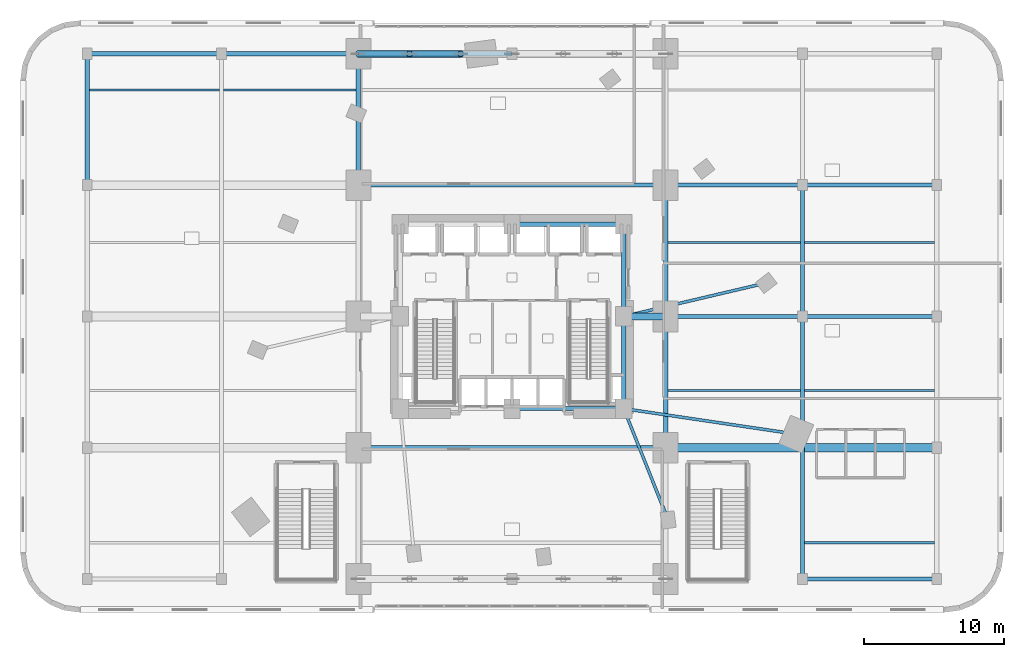
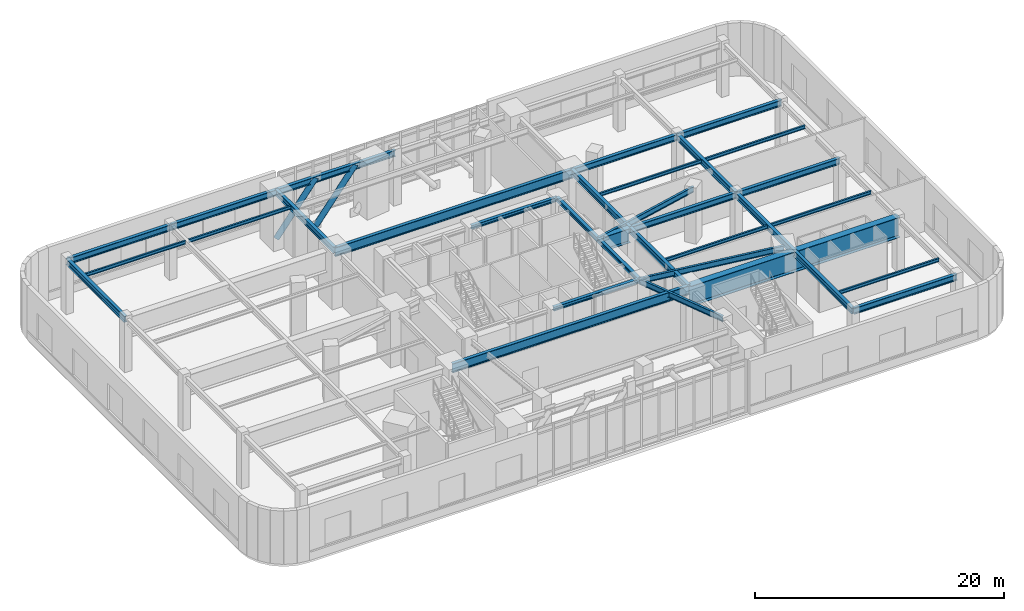
# One storey, part 7 of 19: 32 beams, 2 members.
"""IFC4 building model written with IfcOpenShell, lengths in metres."""

from ifc_helpers import new_model, si_unit, direction, frame, origin, origin_2d, place, context, subcontext, project, spatial, hollow_circle, i_section, extrude, material, material_profile, profile_set, type_object, element, save


model = new_model("IFC4")

# Units and contexts
model_context = context("Model", 3, precision=1e-05, world=origin(), true_north=direction((0.0, 1.0)))
body_context = subcontext(model_context, "Body", "Model", "MODEL_VIEW")
ifc_project = project(units=[si_unit("LENGTHUNIT", "METRE"), si_unit("AREAUNIT", "SQUARE_METRE"), si_unit("VOLUMEUNIT", "CUBIC_METRE"), si_unit("PLANEANGLEUNIT", "RADIAN"), si_unit("MASSUNIT", "GRAM", prefix="KILO")], contexts=[model_context])

# Site, building, storey
site_placement = place(None, origin())
site = spatial("IfcSite", under=ifc_project, at=site_placement, CompositionType="ELEMENT")
building_placement = place(site_placement, origin())
building = spatial("IfcBuilding", under=site, at=building_placement, Name="Ndelora Gate Hotel", CompositionType="ELEMENT")
storey_placement = place(building_placement, frame((0.0, 0.0, 16.0)))
storey = spatial("IfcBuildingStorey", under=building, at=storey_placement, Name="L03", CompositionType="ELEMENT", Elevation=16.0)

# Beams
ifc_material_1 = material(Name="Steel S460", Category="steel")
ifc_material_profile_1 = material_profile(ifc_material_1, i_section(OverallWidth=0.300048828125, OverallDepth=0.89990234375, WebThickness=0.0185546875, FlangeThickness=0.034912109375, FilletRadius=0.030029296875, at=origin_2d()), Name="HEB 900")
ifc_profile_set_1 = profile_set([ifc_material_profile_1], Name="Steel S460")
beam_type_1 = type_object("IfcBeamType", Name="BM-BELT-900", PredefinedType="SPANDREL", material=ifc_profile_set_1)
for number, where, z_axis, x_axis, name in (
    (1, (-11.0, -9.39990234375, 4.77001953125), (1.0, 0.0, 0.0), (0.0, 1.0, 0.0), "L03 structural beam BB-1"),
    (2, (-11.0, 9.39990234375, 4.77001953125), (1.0, 0.0, 0.0), (0.0, 1.0, 0.0), "L03 structural beam BB-1"),
):
    element("IfcBeam", number, at=place(storey_placement, frame(where, z_axis=z_axis, x_axis=x_axis)), inside=storey, type_object=beam_type_1, Name=name, PredefinedType="SPANDREL", context=body_context, shape_type="SweptSolid", body=[
        extrude(i_section(OverallWidth=0.300048828125, OverallDepth=0.89990234375, WebThickness=0.0185546875, FlangeThickness=0.034912109375, FilletRadius=0.030029296875, at=origin_2d()), origin(), (0.0, 0.0, 1.0), 22.0),
    ])
ifc_material_2 = material(Name="Steel S355", Category="steel")
ifc_material_profile_2 = material_profile(ifc_material_2, i_section(OverallWidth=0.300048828125, OverallDepth=0.39990234375, WebThickness=0.013427734375, FlangeThickness=0.02392578125, FilletRadius=0.027099609375, at=origin_2d()), Name="HEB 400")
ifc_profile_set_2 = profile_set([ifc_material_profile_2], Name="Steel S355")
beam_type_2 = type_object("IfcBeamType", Name="BM-CORE-400", PredefinedType="BEAM", material=ifc_profile_set_2)
beam_1_placement = place(storey_placement, frame((0.0, 6.60009765625, 5.02001953125), z_axis=(1.0, 0.0, 0.0), x_axis=(0.0, 1.0, 0.0)))
element("IfcBeam", 3, at=beam_1_placement, inside=storey, type_object=beam_type_2, Name="L03 Core Tie Girder CC6-CC5", PredefinedType="BEAM", context=body_context, shape_type="SweptSolid", body=[
    extrude(i_section(OverallWidth=0.300048828125, OverallDepth=0.39990234375, WebThickness=0.013427734375, FlangeThickness=0.02392578125, FilletRadius=0.027099609375, at=origin_2d()), origin(), (0.0, 0.0, 1.0), 8.0),
])
for number, where, z_axis, x_axis, name in (
    (4, (8.0, -6.60009765625, 5.02001953125), (0.0, 1.0, 0.0), (-1.0, 0.0, 0.0), "L03 Core Tie Girder CC3-CC4"),
    (5, (8.0, 0.0, 5.02001953125), (0.0, 1.0, 0.0), (-1.0, 0.0, 0.0), "L03 Core Tie Girder CC4-CC5"),
):
    element("IfcBeam", number, at=place(storey_placement, frame(where, z_axis=z_axis, x_axis=x_axis)), inside=storey, type_object=beam_type_2, Name=name, PredefinedType="BEAM", context=body_context, shape_type="SweptSolid", body=[
        extrude(i_section(OverallWidth=0.300048828125, OverallDepth=0.39990234375, WebThickness=0.013427734375, FlangeThickness=0.02392578125, FilletRadius=0.027099609375, at=origin_2d()), origin(), (0.0, 0.0, 1.0), 6.60009765625),
    ])
beam_2_placement = place(storey_placement, frame((0.0, -6.60009765625, 5.02001953125), z_axis=(1.0, 0.0, 0.0), x_axis=(0.0, 1.0, 0.0)))
element("IfcBeam", 6, at=beam_2_placement, inside=storey, type_object=beam_type_2, Name="L03 Core Tie Girder CC2-CC3", PredefinedType="BEAM", context=body_context, shape_type="SweptSolid", body=[
    extrude(i_section(OverallWidth=0.300048828125, OverallDepth=0.39990234375, WebThickness=0.013427734375, FlangeThickness=0.02392578125, FilletRadius=0.027099609375, at=origin_2d()), origin(), (0.0, 0.0, 1.0), 8.0),
])
ifc_material_profile_3 = material_profile(ifc_material_2, i_section(OverallWidth=0.159912109375, OverallDepth=0.330078125, WebThickness=0.007568359375, FlangeThickness=0.011474609375, FilletRadius=0.01806640625, at=origin_2d()), Name="IPE 330")
ifc_profile_set_3 = profile_set([ifc_material_profile_3], Name="Steel S355")
beam_type_3 = type_object("IfcBeamType", Name="BM-JST-330", PredefinedType="JOIST", material=ifc_profile_set_3)
beam_3_placement = place(storey_placement, frame((20.949951171875, -16.199951171875, 5.054931640625), z_axis=(1.0, 0.0, 0.0), x_axis=(0.0, 1.0, 0.0)))
element("IfcBeam", 7, at=beam_3_placement, inside=storey, type_object=beam_type_3, Name="L03 Podium Composite Secondary Joist 5", PredefinedType="JOIST", context=body_context, shape_type="SweptSolid", body=[
    extrude(i_section(OverallWidth=0.159912109375, OverallDepth=0.330078125, WebThickness=0.007568359375, FlangeThickness=0.011474609375, FilletRadius=0.01806640625, at=origin_2d()), origin(), (0.0, 0.0, 1.0), 9.300048828125),
])
beam_4_placement = place(storey_placement, frame((11.14990234375, -5.300048828125, 5.054931640625), z_axis=(1.0, 0.0, 0.0), x_axis=(0.0, 1.0, 0.0)))
element("IfcBeam", 8, at=beam_4_placement, inside=storey, type_object=beam_type_3, Name="L03 Podium Composite Secondary Joist 4", PredefinedType="JOIST", context=body_context, shape_type="SweptSolid", body=[
    extrude(i_section(OverallWidth=0.159912109375, OverallDepth=0.330078125, WebThickness=0.007568359375, FlangeThickness=0.011474609375, FilletRadius=0.01806640625, at=origin_2d()), origin(), (0.0, 0.0, 1.0), 9.5),
])
beam_5_placement = place(storey_placement, frame((20.949951171875, -5.300048828125, 5.054931640625), z_axis=(1.0, 0.0, 0.0), x_axis=(0.0, 1.0, 0.0)))
element("IfcBeam", 9, at=beam_5_placement, inside=storey, type_object=beam_type_3, Name="L03 Podium Composite Secondary Joist 5", PredefinedType="JOIST", context=body_context, shape_type="SweptSolid", body=[
    extrude(i_section(OverallWidth=0.159912109375, OverallDepth=0.330078125, WebThickness=0.007568359375, FlangeThickness=0.011474609375, FilletRadius=0.01806640625, at=origin_2d()), origin(), (0.0, 0.0, 1.0), 9.300048828125),
])
beam_6_placement = place(storey_placement, frame((11.14990234375, 5.300048828125, 5.054931640625), z_axis=(1.0, 0.0, 0.0), x_axis=(0.0, 1.0, 0.0)))
element("IfcBeam", 10, at=beam_6_placement, inside=storey, type_object=beam_type_3, Name="L03 Podium Composite Secondary Joist 4", PredefinedType="JOIST", context=body_context, shape_type="SweptSolid", body=[
    extrude(i_section(OverallWidth=0.159912109375, OverallDepth=0.330078125, WebThickness=0.007568359375, FlangeThickness=0.011474609375, FilletRadius=0.01806640625, at=origin_2d()), origin(), (0.0, 0.0, 1.0), 9.5),
])
for number, where, z_axis, x_axis, name in (
    (11, (20.949951171875, 5.300048828125, 5.054931640625), (1.0, 0.0, 0.0), (0.0, 1.0, 0.0), "L03 Podium Composite Secondary Joist 5"),
    (12, (-30.25, 16.199951171875, 5.054931640625), (1.0, 0.0, 0.0), (0.0, 1.0, 0.0), "L03 Podium Composite Secondary Joist 1"),
):
    element("IfcBeam", number, at=place(storey_placement, frame(where, z_axis=z_axis, x_axis=x_axis)), inside=storey, type_object=beam_type_3, Name=name, PredefinedType="JOIST", context=body_context, shape_type="SweptSolid", body=[
        extrude(i_section(OverallWidth=0.159912109375, OverallDepth=0.330078125, WebThickness=0.007568359375, FlangeThickness=0.011474609375, FilletRadius=0.01806640625, at=origin_2d()), origin(), (0.0, 0.0, 1.0), 9.300048828125),
    ])
beam_7_placement = place(storey_placement, frame((-20.64990234375, 16.199951171875, 5.054931640625), z_axis=(1.0, 0.0, 0.0), x_axis=(0.0, 1.0, 0.0)))
element("IfcBeam", 13, at=beam_7_placement, inside=storey, type_object=beam_type_3, Name="L03 Podium Composite Secondary Joist 2", PredefinedType="JOIST", context=body_context, shape_type="SweptSolid", body=[
    extrude(i_section(OverallWidth=0.159912109375, OverallDepth=0.330078125, WebThickness=0.007568359375, FlangeThickness=0.011474609375, FilletRadius=0.01806640625, at=origin_2d()), origin(), (0.0, 0.0, 1.0), 9.5),
])
ifc_material_profile_4 = material_profile(ifc_material_2, i_section(OverallWidth=0.300048828125, OverallDepth=0.60009765625, WebThickness=0.015380859375, FlangeThickness=0.030029296875, FilletRadius=0.027099609375, at=origin_2d()), Name="HEB 600")
ifc_profile_set_4 = profile_set([ifc_material_profile_4], Name="Steel S355")
beam_type_4 = type_object("IfcBeamType", Name="BM-POD-600", PredefinedType="BEAM", material=ifc_profile_set_4)
for number, where, z_axis, x_axis, name in (
    (14, (-30.39990234375, 9.39990234375, 4.919921875), (0.0, 1.0, 0.0), (-1.0, 0.0, 0.0), "L03 Podium Longitudinal Girder X=-30.4"),
    (15, (-11.0, 9.39990234375, 4.919921875), (0.0, 1.0, 0.0), (-1.0, 0.0, 0.0), "L03 Podium Longitudinal Girder X=-11.0"),
):
    element("IfcBeam", number, at=place(storey_placement, frame(where, z_axis=z_axis, x_axis=x_axis)), inside=storey, type_object=beam_type_4, Name=name, PredefinedType="BEAM", context=body_context, shape_type="SweptSolid", body=[
        extrude(i_section(OverallWidth=0.300048828125, OverallDepth=0.60009765625, WebThickness=0.015380859375, FlangeThickness=0.030029296875, FilletRadius=0.027099609375, at=origin_2d()), origin(), (0.0, 0.0, 1.0), 9.400146484375),
    ])
for number, where, z_axis, x_axis, name in (
    (16, (11.0, -9.39990234375, 4.919921875), (0.0, 1.0, 0.0), (-1.0, 0.0, 0.0), "L03 Podium Longitudinal Girder X=+11.0"),
    (17, (11.0, 0.0, 4.919921875), (0.0, 1.0, 0.0), (-1.0, 0.0, 0.0), "L03 Podium Longitudinal Girder X=+11.0"),
):
    element("IfcBeam", number, at=place(storey_placement, frame(where, z_axis=z_axis, x_axis=x_axis)), inside=storey, type_object=beam_type_4, Name=name, PredefinedType="BEAM", context=body_context, shape_type="SweptSolid", body=[
        extrude(i_section(OverallWidth=0.300048828125, OverallDepth=0.60009765625, WebThickness=0.015380859375, FlangeThickness=0.030029296875, FilletRadius=0.027099609375, at=origin_2d()), origin(), (0.0, 0.0, 1.0), 9.39990234375),
    ])
beam_8_placement = place(storey_placement, frame((20.800048828125, -18.800048828125, 4.919921875), z_axis=(0.0, 1.0, 0.0), x_axis=(-1.0, 0.0, 0.0)))
element("IfcBeam", 18, at=beam_8_placement, inside=storey, type_object=beam_type_4, Name="L03 Podium Longitudinal Girder X=+20.8", PredefinedType="BEAM", context=body_context, shape_type="SweptSolid", body=[
    extrude(i_section(OverallWidth=0.300048828125, OverallDepth=0.60009765625, WebThickness=0.015380859375, FlangeThickness=0.030029296875, FilletRadius=0.027099609375, at=origin_2d()), origin(), (0.0, 0.0, 1.0), 18.800048828125),
])
beam_9_placement = place(storey_placement, frame((20.800048828125, 0.0, 4.919921875), z_axis=(0.0, 1.0, 0.0), x_axis=(-1.0, 0.0, 0.0)))
element("IfcBeam", 19, at=beam_9_placement, inside=storey, type_object=beam_type_4, Name="L03 Podium Longitudinal Girder X=+20.8", PredefinedType="BEAM", context=body_context, shape_type="SweptSolid", body=[
    extrude(i_section(OverallWidth=0.300048828125, OverallDepth=0.60009765625, WebThickness=0.015380859375, FlangeThickness=0.030029296875, FilletRadius=0.027099609375, at=origin_2d()), origin(), (0.0, 0.0, 1.0), 9.39990234375),
])
beam_10_placement = place(storey_placement, frame((20.800048828125, -18.800048828125, 4.919921875), z_axis=(1.0, 0.0, 0.0), x_axis=(0.0, 1.0, 0.0)))
element("IfcBeam", 20, at=beam_10_placement, inside=storey, type_object=beam_type_4, Name="L03 Podium Transverse Girder Y=-18.8", PredefinedType="BEAM", context=body_context, shape_type="SweptSolid", body=[
    extrude(i_section(OverallWidth=0.300048828125, OverallDepth=0.60009765625, WebThickness=0.015380859375, FlangeThickness=0.030029296875, FilletRadius=0.027099609375, at=origin_2d()), origin(), (0.0, 0.0, 1.0), 9.599853515625),
])
beam_11_placement = place(storey_placement, frame((11.0, 0.0, 4.919921875), z_axis=(1.0, 0.0, 0.0), x_axis=(0.0, 1.0, 0.0)))
element("IfcBeam", 21, at=beam_11_placement, inside=storey, type_object=beam_type_4, Name="L03 Podium Transverse Girder Y=+0.0", PredefinedType="BEAM", context=body_context, shape_type="SweptSolid", body=[
    extrude(i_section(OverallWidth=0.300048828125, OverallDepth=0.60009765625, WebThickness=0.015380859375, FlangeThickness=0.030029296875, FilletRadius=0.027099609375, at=origin_2d()), origin(), (0.0, 0.0, 1.0), 9.800048828125),
])
beam_12_placement = place(storey_placement, frame((20.800048828125, 0.0, 4.919921875), z_axis=(1.0, 0.0, 0.0), x_axis=(0.0, 1.0, 0.0)))
element("IfcBeam", 22, at=beam_12_placement, inside=storey, type_object=beam_type_4, Name="L03 Podium Transverse Girder Y=+0.0", PredefinedType="BEAM", context=body_context, shape_type="SweptSolid", body=[
    extrude(i_section(OverallWidth=0.300048828125, OverallDepth=0.60009765625, WebThickness=0.015380859375, FlangeThickness=0.030029296875, FilletRadius=0.027099609375, at=origin_2d()), origin(), (0.0, 0.0, 1.0), 9.599853515625),
])
beam_13_placement = place(storey_placement, frame((11.0, 9.39990234375, 4.919921875), z_axis=(1.0, 0.0, 0.0), x_axis=(0.0, 1.0, 0.0)))
element("IfcBeam", 23, at=beam_13_placement, inside=storey, type_object=beam_type_4, Name="L03 Podium Transverse Girder Y=+9.4", PredefinedType="BEAM", context=body_context, shape_type="SweptSolid", body=[
    extrude(i_section(OverallWidth=0.300048828125, OverallDepth=0.60009765625, WebThickness=0.015380859375, FlangeThickness=0.030029296875, FilletRadius=0.027099609375, at=origin_2d()), origin(), (0.0, 0.0, 1.0), 9.800048828125),
])
for number, where, z_axis, x_axis, name in (
    (24, (20.800048828125, 9.39990234375, 4.919921875), (1.0, 0.0, 0.0), (0.0, 1.0, 0.0), "L03 Podium Transverse Girder Y=+9.4"),
    (25, (-30.39990234375, 18.800048828125, 4.919921875), (1.0, 0.0, 0.0), (0.0, 1.0, 0.0), "L03 Podium Transverse Girder Y=+18.8"),
):
    element("IfcBeam", number, at=place(storey_placement, frame(where, z_axis=z_axis, x_axis=x_axis)), inside=storey, type_object=beam_type_4, Name=name, PredefinedType="BEAM", context=body_context, shape_type="SweptSolid", body=[
        extrude(i_section(OverallWidth=0.300048828125, OverallDepth=0.60009765625, WebThickness=0.015380859375, FlangeThickness=0.030029296875, FilletRadius=0.027099609375, at=origin_2d()), origin(), (0.0, 0.0, 1.0), 9.599853515625),
    ])
beam_14_placement = place(storey_placement, frame((-20.800048828125, 18.800048828125, 4.919921875), z_axis=(1.0, 0.0, 0.0), x_axis=(0.0, 1.0, 0.0)))
element("IfcBeam", 26, at=beam_14_placement, inside=storey, type_object=beam_type_4, Name="L03 Podium Transverse Girder Y=+18.8", PredefinedType="BEAM", context=body_context, shape_type="SweptSolid", body=[
    extrude(i_section(OverallWidth=0.300048828125, OverallDepth=0.60009765625, WebThickness=0.015380859375, FlangeThickness=0.030029296875, FilletRadius=0.027099609375, at=origin_2d()), origin(), (0.0, 0.0, 1.0), 9.800048828125),
])
beam_15_placement = place(storey_placement, frame((-11.0, 18.800048828125, 4.919921875), z_axis=(1.0, 0.0, 0.0), x_axis=(0.0, 1.0, 0.0)))
element("IfcBeam", 27, at=beam_15_placement, inside=storey, type_object=beam_type_4, Name="L03 Podium Transverse Girder Y=+18.8", PredefinedType="BEAM", context=body_context, shape_type="SweptSolid", body=[
    extrude(i_section(OverallWidth=0.300048828125, OverallDepth=0.60009765625, WebThickness=0.015380859375, FlangeThickness=0.030029296875, FilletRadius=0.027099609375, at=origin_2d()), origin(), (0.0, 0.0, 1.0), 11.0),
])
ifc_material_profile_5 = material_profile(ifc_material_2, i_section(OverallWidth=0.2099609375, OverallDepth=0.550048828125, WebThickness=0.010986328125, FlangeThickness=0.01708984375, FilletRadius=0.02392578125, at=origin_2d()), Name="IPE 550")
ifc_profile_set_5 = profile_set([ifc_material_profile_5], Name="Steel S355")
beam_type_5 = type_object("IfcBeamType", Name="BM-RAD-550", PredefinedType="BEAM", material=ifc_profile_set_5)
beam_16_placement = place(storey_placement, frame((8.0, -6.60009765625, 4.945068359375), z_axis=(0.37056142644, -0.92880796144, 0.0), x_axis=(0.92880796144, 0.37056142644, 0.0)))
element("IfcBeam", 28, at=beam_16_placement, inside=storey, type_object=beam_type_5, Name="L03 Tower Root Radial Tie Beam 8", PredefinedType="BEAM", context=body_context, shape_type="SweptSolid", body=[
    extrude(i_section(OverallWidth=0.2099609375, OverallDepth=0.550048828125, WebThickness=0.010986328125, FlangeThickness=0.01708984375, FilletRadius=0.02392578125, at=origin_2d()), origin(), (0.0, 0.0, 1.0), 8.580078125),
])
beam_17_placement = place(storey_placement, frame((8.0, -6.60009765625, 4.945068359375), z_axis=(0.989209761041, -0.146506138649, 0.0), x_axis=(0.146506138649, 0.989209761041, 0.0)))
element("IfcBeam", 29, at=beam_17_placement, inside=storey, type_object=beam_type_5, Name="L03 Tower Root Radial Tie Beam 9", PredefinedType="BEAM", context=body_context, shape_type="SweptSolid", body=[
    extrude(i_section(OverallWidth=0.2099609375, OverallDepth=0.550048828125, WebThickness=0.010986328125, FlangeThickness=0.01708984375, FilletRadius=0.02392578125, at=origin_2d()), origin(), (0.0, 0.0, 1.0), 12.48486328125),
])
beam_18_placement = place(storey_placement, frame((8.0, 0.0, 4.945068359375), z_axis=(0.973517848051, 0.22861102232, 0.0), x_axis=(-0.22861102232, 0.973517848051, 0.0)))
element("IfcBeam", 30, at=beam_18_placement, inside=storey, type_object=beam_type_5, Name="L03 Tower Root Radial Tie Beam 10", PredefinedType="BEAM", context=body_context, shape_type="SweptSolid", body=[
    extrude(i_section(OverallWidth=0.2099609375, OverallDepth=0.550048828125, WebThickness=0.010986328125, FlangeThickness=0.01708984375, FilletRadius=0.02392578125, at=origin_2d()), origin(), (0.0, 0.0, 1.0), 10.48486328125),
])
ifc_material_profile_6 = material_profile(ifc_material_1, i_section(OverallWidth=0.5, OverallDepth=1.39990234375, WebThickness=0.02392578125, FlangeThickness=0.035888671875, FilletRadius=0.02197265625, at=origin_2d()), Name="PG 1400x500x36")
ifc_profile_set_6 = profile_set([ifc_material_profile_6], Name="Steel S460")
beam_type_6 = type_object("IfcBeamType", Name="BM-TR-1400", PredefinedType="BEAM", material=ifc_profile_set_6)
beam_19_placement = place(storey_placement, frame((8.5, 0.0, 4.52001953125), z_axis=(1.0, 0.0, 0.0), x_axis=(0.0, 1.0, 0.0)))
element("IfcBeam", 31, at=beam_19_placement, inside=storey, type_object=beam_type_6, Name="L03 structural beam TG-3", PredefinedType="BEAM", context=body_context, shape_type="SweptSolid", body=[
    extrude(i_section(OverallWidth=0.5, OverallDepth=1.39990234375, WebThickness=0.02392578125, FlangeThickness=0.035888671875, FilletRadius=0.02197265625, at=origin_2d()), origin(), (0.0, 0.0, 1.0), 2.35009765625),
])
ifc_material_profile_7 = material_profile(ifc_material_1, i_section(OverallWidth=0.6201171875, OverallDepth=2.0, WebThickness=0.028076171875, FlangeThickness=0.0400390625, FilletRadius=0.02392578125, at=origin_2d()), Name="PG 2000x620x40")
ifc_profile_set_7 = profile_set([ifc_material_profile_7], Name="Steel S460")
beam_type_7 = type_object("IfcBeamType", Name="BM-TR-2000", PredefinedType="BEAM", material=ifc_profile_set_7)
beam_20_placement = place(storey_placement, frame((11.0, -9.39990234375, 4.219970703125), z_axis=(1.0, 0.0, 0.0), x_axis=(0.0, 1.0, 0.0)))
element("IfcBeam", 32, at=beam_20_placement, inside=storey, type_object=beam_type_7, Name="L03 Podium Transverse Girder Y=-9.4", PredefinedType="BEAM", context=body_context, shape_type="SweptSolid", body=[
    extrude(i_section(OverallWidth=0.6201171875, OverallDepth=2.0, WebThickness=0.028076171875, FlangeThickness=0.0400390625, FilletRadius=0.02392578125, at=origin_2d()), origin(), (0.0, 0.0, 1.0), 19.39990234375),
])

# Members
ifc_material_profile_8 = material_profile(ifc_material_1, hollow_circle(Radius=0.25390625, WallThickness=0.028076171875, at=origin_2d()), Name="CHS 508x28")
ifc_profile_set_8 = profile_set([ifc_material_profile_8], Name="Steel S460")
member_type = type_object("IfcMemberType", Name="MB-OUT-508", PredefinedType="BRACE", material=ifc_profile_set_8)
member_1_placement = place(storey_placement, frame((-11.0, 18.800048828125, 0.35009765625), z_axis=(0.61511378827, 0.0, 0.788438347292), x_axis=(0.0, 1.0, 0.0)))
element("IfcMember", 33, at=member_1_placement, inside=storey, type_object=member_type, Name="L03 Portal Arch Crown Transfer Diagonal N-1", PredefinedType="BRACE", context=body_context, shape_type="SweptSolid", body=[
    extrude(hollow_circle(Radius=0.25390625, WallThickness=0.028076171875, at=origin_2d()), origin(), (0.0, 0.0, 1.0), 5.961181640625),
])
member_2_placement = place(storey_placement, frame((-7.333251953125, 18.800048828125, 0.35009765625), z_axis=(0.615088327804, 0.0, 0.788458210052), x_axis=(0.0, 1.0, 0.0)))
element("IfcMember", 34, at=member_2_placement, inside=storey, type_object=member_type, Name="L03 Portal Arch Crown Transfer Diagonal N-2", PredefinedType="BRACE", context=body_context, shape_type="SweptSolid", body=[
    extrude(hollow_circle(Radius=0.25390625, WallThickness=0.028076171875, at=origin_2d()), origin(), (0.0, 0.0, 1.0), 5.9609375),
])

save(model, "model.ifc")
